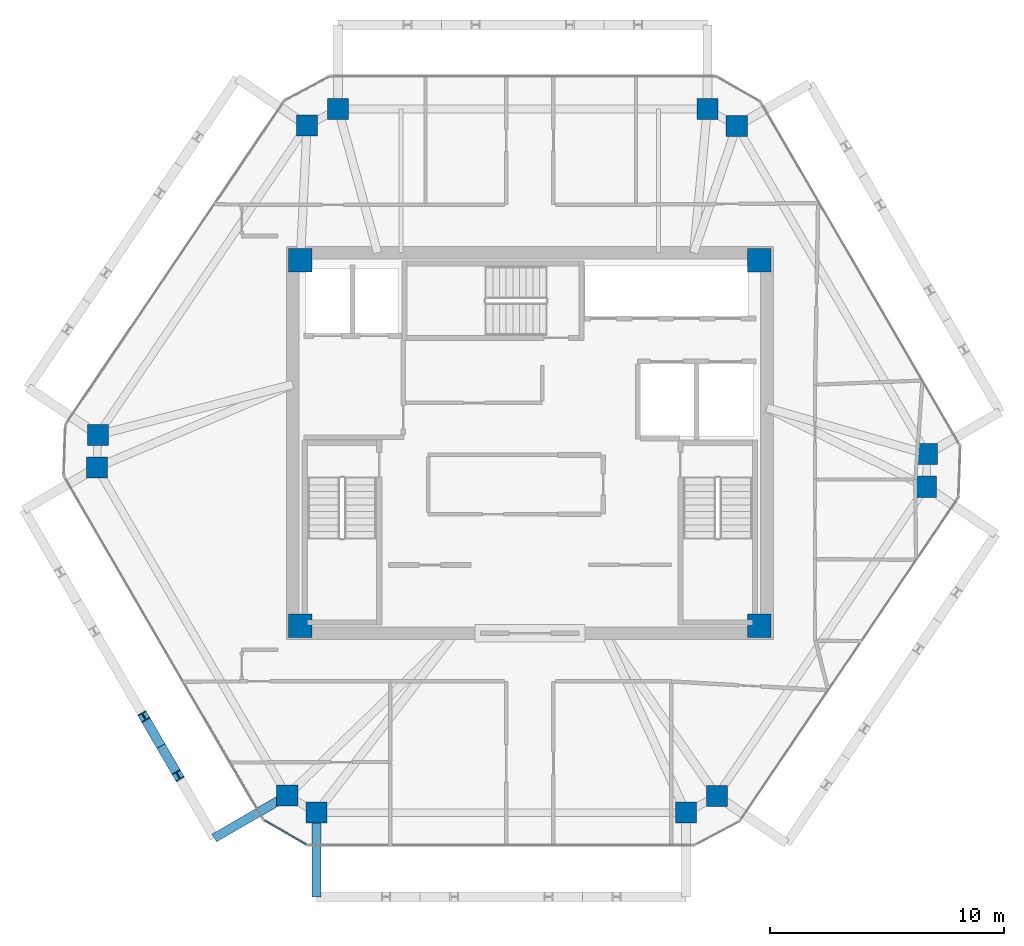
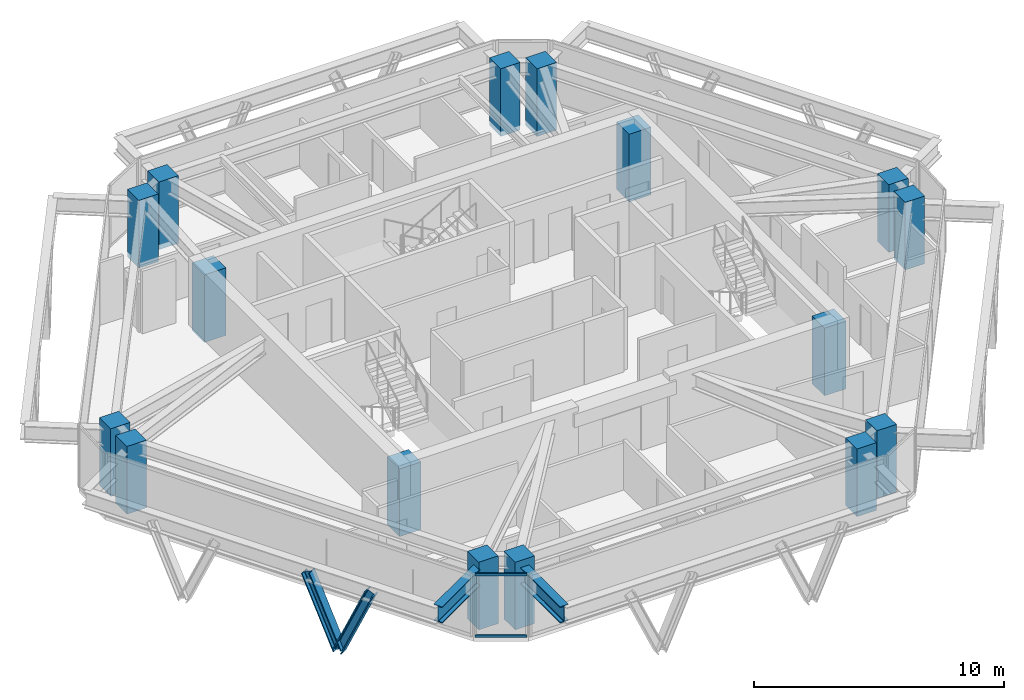
# One storey, part 1 of 11: 16 columns, 4 members, 2 beams, 1 element without a shape of its own.
"""IFC4 building model written with IfcOpenShell, lengths in metres."""

from ifc_helpers import new_model, si_unit, direction, frame, origin, origin_2d, place, context, subcontext, project, spatial, rectangle, i_section, extrude, source, transform, mapped, material, layer, layer_set, material_profile, profile_set, type_object, type_shapes, element, aggregate, save


model = new_model("IFC4")

# Units and contexts
model_context = context("Model", 3, precision=1e-05, world=origin(), true_north=direction((0.0, 1.0)))
body_context = subcontext(model_context, "Body", "Model", "MODEL_VIEW")
ifc_project = project(units=[si_unit("LENGTHUNIT", "METRE"), si_unit("AREAUNIT", "SQUARE_METRE"), si_unit("VOLUMEUNIT", "CUBIC_METRE"), si_unit("PLANEANGLEUNIT", "RADIAN"), si_unit("MASSUNIT", "GRAM", prefix="KILO")], contexts=[model_context])

# Site, building, storey
site_placement = place(None, origin())
site = spatial("IfcSite", under=ifc_project, at=site_placement, CompositionType="ELEMENT")
building_placement = place(site_placement, origin())
building = spatial("IfcBuilding", under=site, at=building_placement, Name="Durnholm Broadcast Tower", CompositionType="ELEMENT")
storey_placement = place(building_placement, frame((0.0, 0.0, 238.10009765625)))
storey = spatial("IfcBuildingStorey", under=building, at=storey_placement, Name="L66", CompositionType="ELEMENT", Elevation=238.10009765625)

# Columns
ifc_material_1 = material(Name="Concrete C70/85", Category="concrete")
ifc_material_profile_1 = material_profile(ifc_material_1, rectangle(XDim=1.0, YDim=1.0, at=origin_2d()), Name="RC1000X1000")
ifc_profile_set_1 = profile_set([ifc_material_profile_1], Name="Concrete C70/85")
column_type_1 = type_object("IfcColumnType", Name="COL-CC-1000", PredefinedType="COLUMN", material=ifc_profile_set_1)
shared_shape_1 = source(origin(), body_context, "Body", "SweptSolid", [
    extrude(rectangle(XDim=1.0, YDim=1.0, at=origin_2d()), origin(), (0.0, 0.0, 1.0), 3.2998046875),
])
type_shapes(column_type_1, [shared_shape_1])
for number, where, z_axis, x_axis, name in (
    (1, (-9.800048828125, -7.800048828125, -0.239990234375), (0.0, 0.0, 1.0), (1.0, 0.0, 0.0), "L66 core corner column 1"),
    (2, (9.800048828125, -7.800048828125, -0.239990234375), (0.0, 0.0, 1.0), (1.0, 0.0, 0.0), "L66 core corner column 2"),
    (3, (9.800048828125, 7.800048828125, -0.239990234375), (0.0, 0.0, 1.0), (1.0, 0.0, 0.0), "L66 core corner column 3"),
    (4, (-9.800048828125, 7.800048828125, -0.239990234375), (0.0, 0.0, 1.0), (1.0, 0.0, 0.0), "L66 core corner column 4"),
):
    element("IfcColumn", number, at=place(storey_placement, frame(where, z_axis=z_axis, x_axis=x_axis)), inside=storey, type_object=column_type_1, Name=name, PredefinedType="COLUMN", context=body_context, shape_type="MappedRepresentation", body=[
        mapped(shared_shape_1, transform((0.0, 0.0, 0.0), x_axis=(1.0, 0.0, 0.0), y_axis=(0.0, 1.0, 0.0), z_axis=(0.0, 0.0, 1.0), scale=1.0)),
    ])
ifc_material_profile_2 = material_profile(ifc_material_1, rectangle(XDim=0.89990234375, YDim=0.89990234375, at=origin_2d()), Name="RC900X900")
ifc_profile_set_2 = profile_set([ifc_material_profile_2], Name="Concrete C70/85")
column_type_2 = type_object("IfcColumnType", Name="COL-CC-900", PredefinedType="COLUMN", material=ifc_profile_set_2)
shared_shape_2 = source(origin(), body_context, "Body", "SweptSolid", [
    extrude(rectangle(XDim=0.89990234375, YDim=0.89990234375, at=origin_2d()), origin(), (0.0, 0.0, 1.0), 3.2998046875),
])
type_shapes(column_type_2, [shared_shape_2])
for number, where, z_axis, x_axis, name in (
    (5, (-10.361328125, -15.061767578125, -0.239990234375), (0.0, 0.0, 1.0), (1.0, 0.0, 0.0), "L66 perimeter hexagonal tube column 01"),
    (6, (-18.494384765625, -1.0478515625, -0.239990234375), (0.0, 0.0, 1.0), (1.0, 0.0, 0.0), "L66 perimeter hexagonal tube column 02"),
    (7, (-18.4462890625, 0.345947265625, -0.239990234375), (0.0, 0.0, 1.0), (1.0, 0.0, 0.0), "L66 perimeter hexagonal tube column 03"),
    (8, (-9.514892578125, 13.557373046875, -0.239990234375), (0.0, 0.0, 1.0), (1.0, 0.0, 0.0), "L66 perimeter hexagonal tube column 04"),
    (9, (-8.187744140625, 14.261962890625, -0.239990234375), (0.0, 0.0, 1.0), (1.0, 0.0, 0.0), "L66 perimeter hexagonal tube column 05"),
    (10, (7.57958984375, 14.261962890625, -0.239990234375), (0.0, 0.0, 1.0), (1.0, 0.0, 0.0), "L66 perimeter hexagonal tube column 06"),
    (11, (8.83740234375, 13.53759765625, -0.239990234375), (0.0, 0.0, 1.0), (1.0, 0.0, 0.0), "L66 perimeter hexagonal tube column 07"),
    (12, (16.97021484375, -0.47607421875, -0.239990234375), (0.0, 0.0, 1.0), (1.0, 0.0, 0.0), "L66 perimeter hexagonal tube column 08"),
    (13, (16.92236328125, -1.869873046875, -0.239990234375), (0.0, 0.0, 1.0), (1.0, 0.0, 0.0), "L66 perimeter hexagonal tube column 09"),
    (14, (7.990966796875, -15.081298828125, -0.239990234375), (0.0, 0.0, 1.0), (1.0, 0.0, 0.0), "L66 perimeter hexagonal tube column 10"),
    (15, (6.663818359375, -15.785888671875, -0.239990234375), (0.0, 0.0, 1.0), (1.0, 0.0, 0.0), "L66 perimeter hexagonal tube column 11"),
    (16, (-9.103759765625, -15.785888671875, -0.239990234375), (0.0, 0.0, 1.0), (1.0, 0.0, 0.0), "L66 perimeter hexagonal tube column 12"),
):
    element("IfcColumn", number, at=place(storey_placement, frame(where, z_axis=z_axis, x_axis=x_axis)), inside=storey, type_object=column_type_2, Name=name, PredefinedType="COLUMN", context=body_context, shape_type="MappedRepresentation", body=[
        mapped(shared_shape_2, transform((0.0, 0.0, 0.0), x_axis=(1.0, 0.0, 0.0), y_axis=(0.0, 1.0, 0.0), z_axis=(0.0, 0.0, 1.0), scale=1.0)),
    ])

# Beams
ifc_material_2 = material(Name="Steel ASTM A992 Grade 50", Category="steel")
ifc_material_profile_3 = material_profile(ifc_material_2, i_section(OverallWidth=0.385009765625, OverallDepth=0.802978515625, WebThickness=0.023681640625, FlangeThickness=0.0419921875, FilletRadius=0.032958984375, at=origin_2d()), Name="W30X261")
ifc_profile_set_3 = profile_set([ifc_material_profile_3], Name="Steel ASTM A992 Grade 50")
beam_type = type_object("IfcBeamType", Name="BM-EXO-TIE", PredefinedType="USERDEFINED", material=ifc_profile_set_3)
shared_shape_3 = source(origin(), body_context, "Body", "SweptSolid", [
    extrude(i_section(OverallWidth=0.385009765625, OverallDepth=0.802978515625, WebThickness=0.023681640625, FlangeThickness=0.0419921875, FilletRadius=0.032958984375, at=origin_2d()), origin(), (0.0, 0.0, 1.0), 3.4560546875),
])
type_shapes(beam_type, [shared_shape_3])
for number, where, z_axis, x_axis, name in (
    (17, (-9.103759765625, -15.929931640625, 2.308349609375), (0.0, -1.0, 0.0), (1.0, 0.0, 0.0), "L66 exoskeleton stand-off tie bracket F1.1"),
    (18, (-10.48583984375, -15.134033203125, 2.308349609375), (-0.864924479231, -0.501902027518, 0.0), (0.501902027518, -0.864924479231, 0.0), "L66 exoskeleton stand-off tie bracket F6.2"),
):
    element("IfcBeam", number, at=place(storey_placement, frame(where, z_axis=z_axis, x_axis=x_axis)), inside=storey, type_object=beam_type, Name=name, ObjectType="GIRDER", PredefinedType="USERDEFINED", context=body_context, shape_type="MappedRepresentation", body=[
        mapped(shared_shape_3, transform((0.0, 0.0, 0.0), x_axis=(1.0, 0.0, 0.0), y_axis=(0.0, 1.0, 0.0), z_axis=(0.0, 0.0, 1.0), scale=1.0)),
    ])

# Members
ifc_material_3 = material(Name="Steel ASTM A913 Grade 65", Category="steel")
ifc_material_profile_4 = material_profile(ifc_material_3, i_section(OverallWidth=0.40625, OverallDepth=0.416015625, WebThickness=0.02978515625, FlangeThickness=0.048095703125, FilletRadius=0.030517578125, at=origin_2d()), Name="W14X257")
ifc_profile_set_4 = profile_set([ifc_material_profile_4], Name="Steel ASTM A913 Grade 65")
member_type_1 = type_object("IfcMemberType", Name="STL-DG-W14X257", PredefinedType="BRACE", material=ifc_profile_set_4)
shared_shape_4 = source(origin(), body_context, "Body", "SweptSolid", [
    extrude(i_section(OverallWidth=0.40625, OverallDepth=0.416015625, WebThickness=0.02978515625, FlangeThickness=0.048095703125, FilletRadius=0.030517578125, at=origin_2d()), origin(), (0.0, 0.0, 1.0), 3.607666015625),
])
type_shapes(member_type_1, [shared_shape_4])
for number, where, z_axis, x_axis, name in (
    (19, (-15.752197265625, -12.94482421875, -0.991455078125), (-0.202883747207, 0.34959887861, 0.914668688211), (-0.864906184135, -0.501933554014, 0.0), "L66 stand-off diagrid brace F6.D2.1"),
    (20, (-15.752197265625, -12.94482421875, -0.991455078125), (0.202883747207, -0.34959887861, 0.914668688211), (0.864906184135, 0.501933554014, 0.0), "L66 stand-off diagrid brace F6.D2.2"),
):
    element("IfcMember", number, at=place(storey_placement, frame(where, z_axis=z_axis, x_axis=x_axis)), inside=storey, type_object=member_type_1, Name=name, PredefinedType="BRACE", context=body_context, shape_type="MappedRepresentation", body=[
        mapped(shared_shape_4, transform((0.0, 0.0, 0.0), x_axis=(1.0, 0.0, 0.0), y_axis=(0.0, 1.0, 0.0), z_axis=(0.0, 0.0, 1.0), scale=1.0)),
    ])

# Curtain wall, members
ifc_material_4 = material(Name="Aluminium and Solar Control IGU", Category="aluminium")
ifc_layer = layer(ifc_material_4, 0.1650390625)
ifc_layer_set = layer_set([ifc_layer], Name="Aluminium and Solar Control IGU")
curtain_wall_type = type_object("IfcCurtainWallType", Name="CW-SYS-5", PredefinedType="NOTDEFINED", material=ifc_layer_set)
curtain_wall_placement = place(storey_placement, origin())
curtain_wall = element("IfcCurtainWall", 21, at=curtain_wall_placement, inside=storey, type_object=curtain_wall_type, Name="L66 curtain wall CW-CORNER CW-L66-CRN-11", PredefinedType="NOTDEFINED")
ifc_material_5 = material(Name="Aluminium 6063-T6", Category="aluminium")
ifc_material_profile_5 = material_profile(ifc_material_5, rectangle(XDim=0.06494140625, YDim=0.1298828125, at=origin_2d()), Name="CWT65X130")
ifc_profile_set_5 = profile_set([ifc_material_profile_5], Name="Aluminium 6063-T6")
member_type_2 = type_object("IfcMemberType", Name="CW-SYS-5-TRN", PredefinedType="USERDEFINED", material=ifc_profile_set_5)
shared_shape_5 = source(origin(), body_context, "Body", "SweptSolid", [
    extrude(rectangle(XDim=0.06494140625, YDim=0.1298828125, at=origin_2d()), origin(), (0.0, 0.0, 1.0), 2.06982421875),
])
type_shapes(member_type_2, [shared_shape_5])
member_1_placement = place(storey_placement, frame((-9.534423828125, -17.153564453125, 0.032470703125), z_axis=(-0.866576086718, 0.499044973854, 0.0), x_axis=(-0.499044973854, -0.866576086718, 0.0)))
member_1 = element("IfcMember", 22, at=member_1_placement, type_object=member_type_2, Name="CW-CORNER transom 1.1", ObjectType="TRANSOM", PredefinedType="USERDEFINED", context=body_context, shape_type="MappedRepresentation", body=[
    mapped(shared_shape_5, transform((0.0, 0.0, 0.0), x_axis=(1.0, 0.0, 0.0), y_axis=(0.0, 1.0, 0.0), z_axis=(0.0, 0.0, 1.0), scale=1.0)),
])
member_2_placement = place(storey_placement, frame((-9.534423828125, -17.153564453125, 3.02734375), z_axis=(-0.866576086718, 0.499044973854, 0.0), x_axis=(-0.499044973854, -0.866576086718, 0.0)))
member_2 = element("IfcMember", 23, at=member_2_placement, type_object=member_type_2, Name="CW-CORNER transom 1.2", ObjectType="TRANSOM", PredefinedType="USERDEFINED", context=body_context, shape_type="MappedRepresentation", body=[
    mapped(shared_shape_5, transform((0.0, 0.0, 0.0), x_axis=(1.0, 0.0, 0.0), y_axis=(0.0, 1.0, 0.0), z_axis=(0.0, 0.0, 1.0), scale=1.0)),
])
aggregate(curtain_wall, [member_1, member_2])

save(model, "model.ifc")
